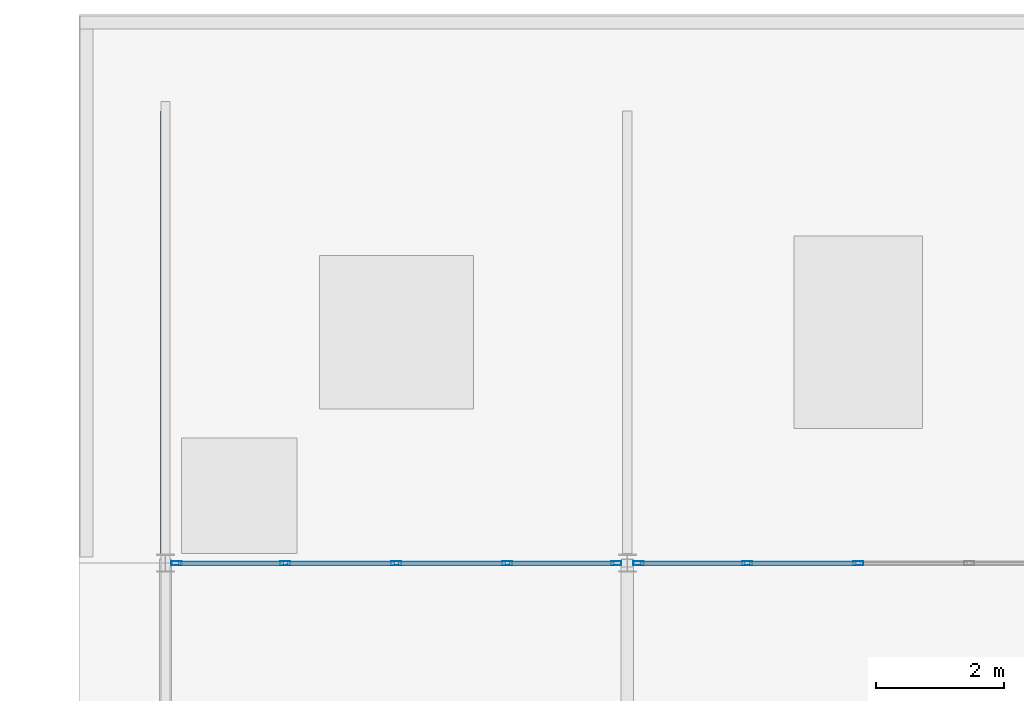
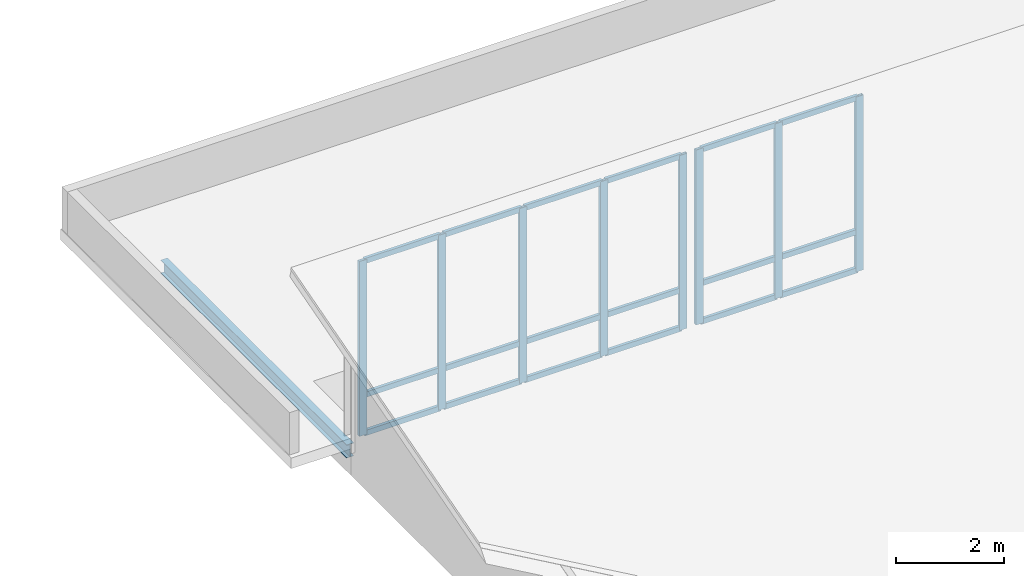
# One storey, part 82 of 157: 26 members, 1 beam, 2 elements without a shape of their own.
"""IFC4 building model written with IfcOpenShell, lengths in metres."""

from ifc_helpers import new_model, si_unit, direction, frame, origin, origin_2d, place, context, subcontext, project, spatial, hollow_rectangle, i_section, extrude, material, material_profile, profile_set, type_object, element, aggregate, save


model = new_model("IFC4")

# Units and contexts
model_context = context("Model", 3, precision=1e-05, world=origin(), true_north=direction((0.0, 1.0)))
body_context = subcontext(model_context, "Body", "Model", "MODEL_VIEW")
ifc_project = project(units=[si_unit("LENGTHUNIT", "METRE"), si_unit("AREAUNIT", "SQUARE_METRE"), si_unit("VOLUMEUNIT", "CUBIC_METRE"), si_unit("PLANEANGLEUNIT", "RADIAN"), si_unit("MASSUNIT", "GRAM", prefix="KILO")], contexts=[model_context])

# Site, building, storey
site_placement = place(None, origin())
site = spatial("IfcSite", under=ifc_project, at=site_placement, CompositionType="ELEMENT")
building_placement = place(site_placement, origin())
building = spatial("IfcBuilding", under=site, at=building_placement, Name="Suanplinth Sawtooth Commons", CompositionType="ELEMENT")
storey_placement = place(building_placement, frame((0.0, 0.0, 9.0)))
storey = spatial("IfcBuildingStorey", under=building, at=storey_placement, Name="L02", CompositionType="ELEMENT", Elevation=9.0)

# Beam
ifc_material_1 = material(Name="Steel S355JR", Category="steel")
ifc_material_profile_1 = material_profile(ifc_material_1, i_section(OverallWidth=0.14990234375, OverallDepth=0.300048828125, WebThickness=0.007080078125, FlangeThickness=0.0107421875, at=origin_2d()), Name="IPE 300")
ifc_profile_set_1 = profile_set([ifc_material_profile_1], Name="Steel S355JR")
beam_type = type_object("IfcBeamType", Name="B-13", PredefinedType="BEAM", material=ifc_profile_set_1)
beam_placement = place(storey_placement, frame((129.60009765625, 64.949951171875, -0.14990234375), z_axis=(0.0, 1.0, 0.0), x_axis=(-1.0, 0.0, 0.0)))
element("IfcBeam", 1, at=beam_placement, inside=storey, type_object=beam_type, Name="BMY-L02-NURS-FLAT-18", PredefinedType="BEAM", context=body_context, shape_type="SweptSolid", body=[
    extrude(i_section(OverallWidth=0.14990234375, OverallDepth=0.300048828125, WebThickness=0.007080078125, FlangeThickness=0.0107421875, at=origin_2d()), origin(), (0.0, 0.0, 1.0), 6.900146484375),
])

# Curtain wall, members
ifc_material_2 = material(Name="Anodized aluminium and low-E glazing", Category="aluminium")
curtain_wall_type = type_object("IfcCurtainWallType", Name="CW-03", PredefinedType="USERDEFINED", material=ifc_material_2)
curtain_wall_1_placement = place(storey_placement, origin())
curtain_wall_1 = element("IfcCurtainWall", 2, at=curtain_wall_1_placement, inside=storey, type_object=curtain_wall_type, Name="Curtain Wall CW-NURS-CLER-18", ObjectType="CURTAIN WALL", PredefinedType="USERDEFINED")
ifc_material_3 = material(Name="Anodized aluminium 6063-T6", Category="aluminium")
ifc_material_profile_2 = material_profile(ifc_material_3, hollow_rectangle(XDim=0.06494140625, YDim=0.159912109375, WallThickness=0.00390625, at=origin_2d()), Name="ALU-MUL 65x160")
ifc_profile_set_2 = profile_set([ifc_material_profile_2], Name="Anodized aluminium 6063-T6")
member_type_1 = type_object("IfcMemberType", Name="M-13", PredefinedType="MULLION", material=ifc_profile_set_2)
member_1_placement = place(storey_placement, frame((129.7724609375, 64.800048828125, 0.239990234375), z_axis=(0.0, 0.0, 1.0), x_axis=(0.0, 1.0, 0.0)))
member_1 = element("IfcMember", 3, at=member_1_placement, type_object=member_type_1, Name="CW-03 mullion 1", PredefinedType="MULLION", context=body_context, shape_type="SweptSolid", body=[
    extrude(hollow_rectangle(XDim=0.06494140625, YDim=0.159912109375, WallThickness=0.00390625, at=origin_2d()), origin(), (0.0, 0.0, 1.0), 3.9599609375),
])
member_2_placement = place(storey_placement, frame((131.469970703125, 64.800048828125, 0.239990234375), z_axis=(0.0, 0.0, 1.0), x_axis=(0.0, 1.0, 0.0)))
member_2 = element("IfcMember", 4, at=member_2_placement, type_object=member_type_1, Name="CW-03 mullion 2", PredefinedType="MULLION", context=body_context, shape_type="SweptSolid", body=[
    extrude(hollow_rectangle(XDim=0.06494140625, YDim=0.159912109375, WallThickness=0.00390625, at=origin_2d()), origin(), (0.0, 0.0, 1.0), 3.9599609375),
])
member_3_placement = place(storey_placement, frame((133.199951171875, 64.800048828125, 0.239990234375), z_axis=(0.0, 0.0, 1.0), x_axis=(0.0, 1.0, 0.0)))
member_3 = element("IfcMember", 5, at=member_3_placement, type_object=member_type_1, Name="CW-03 mullion 3", PredefinedType="MULLION", context=body_context, shape_type="SweptSolid", body=[
    extrude(hollow_rectangle(XDim=0.06494140625, YDim=0.159912109375, WallThickness=0.00390625, at=origin_2d()), origin(), (0.0, 0.0, 1.0), 3.9599609375),
])
member_4_placement = place(storey_placement, frame((134.929931640625, 64.800048828125, 0.239990234375), z_axis=(0.0, 0.0, 1.0), x_axis=(0.0, 1.0, 0.0)))
member_4 = element("IfcMember", 6, at=member_4_placement, type_object=member_type_1, Name="CW-03 mullion 4", PredefinedType="MULLION", context=body_context, shape_type="SweptSolid", body=[
    extrude(hollow_rectangle(XDim=0.06494140625, YDim=0.159912109375, WallThickness=0.00390625, at=origin_2d()), origin(), (0.0, 0.0, 1.0), 3.9599609375),
])
member_5_placement = place(storey_placement, frame((136.62744140625, 64.800048828125, 0.239990234375), z_axis=(0.0, 0.0, 1.0), x_axis=(0.0, 1.0, 0.0)))
member_5 = element("IfcMember", 7, at=member_5_placement, type_object=member_type_1, Name="CW-03 mullion 5", PredefinedType="MULLION", context=body_context, shape_type="SweptSolid", body=[
    extrude(hollow_rectangle(XDim=0.06494140625, YDim=0.159912109375, WallThickness=0.00390625, at=origin_2d()), origin(), (0.0, 0.0, 1.0), 3.9599609375),
])

curtain_wall_2_placement = place(storey_placement, origin())
curtain_wall_2 = element("IfcCurtainWall", 8, at=curtain_wall_2_placement, inside=storey, type_object=curtain_wall_type, Name="Curtain Wall CW-NURS-CLER-19", ObjectType="CURTAIN WALL", PredefinedType="USERDEFINED")
member_6_placement = place(storey_placement, frame((136.972412109375, 64.800048828125, 0.239990234375), z_axis=(0.0, 0.0, 1.0), x_axis=(0.0, 1.0, 0.0)))
member_6 = element("IfcMember", 9, at=member_6_placement, type_object=member_type_1, Name="CW-03 mullion 1", PredefinedType="MULLION", context=body_context, shape_type="SweptSolid", body=[
    extrude(hollow_rectangle(XDim=0.06494140625, YDim=0.159912109375, WallThickness=0.00390625, at=origin_2d()), origin(), (0.0, 0.0, 1.0), 3.9599609375),
])
member_7_placement = place(storey_placement, frame((138.669921875, 64.800048828125, 0.239990234375), z_axis=(0.0, 0.0, 1.0), x_axis=(0.0, 1.0, 0.0)))
member_7 = element("IfcMember", 10, at=member_7_placement, type_object=member_type_1, Name="CW-03 mullion 2", PredefinedType="MULLION", context=body_context, shape_type="SweptSolid", body=[
    extrude(hollow_rectangle(XDim=0.06494140625, YDim=0.159912109375, WallThickness=0.00390625, at=origin_2d()), origin(), (0.0, 0.0, 1.0), 3.9599609375),
])
member_8_placement = place(storey_placement, frame((140.39990234375, 64.800048828125, 0.239990234375), z_axis=(0.0, 0.0, 1.0), x_axis=(0.0, 1.0, 0.0)))
member_8 = element("IfcMember", 11, at=member_8_placement, type_object=member_type_1, Name="CW-03 mullion 3", PredefinedType="MULLION", context=body_context, shape_type="SweptSolid", body=[
    extrude(hollow_rectangle(XDim=0.06494140625, YDim=0.159912109375, WallThickness=0.00390625, at=origin_2d()), origin(), (0.0, 0.0, 1.0), 3.9599609375),
])

# Member
ifc_material_profile_3 = material_profile(ifc_material_3, hollow_rectangle(XDim=0.06494140625, YDim=0.1201171875, WallThickness=0.00390625, at=origin_2d()), Name="ALU-TRN 65x120")
ifc_profile_set_3 = profile_set([ifc_material_profile_3], Name="Anodized aluminium 6063-T6")
member_type_2 = type_object("IfcMemberType", Name="M-15", PredefinedType="USERDEFINED", material=ifc_profile_set_3)
member_9_placement = place(storey_placement, frame((129.804931640625, 64.800048828125, 0.2724609375), z_axis=(1.0, 0.0, 0.0), x_axis=(0.0, 1.0, 0.0)))
member_9 = element("IfcMember", 12, at=member_9_placement, type_object=member_type_2, Name="CW-03 transom 1.1", ObjectType="TRANSOM", PredefinedType="USERDEFINED", context=body_context, shape_type="SweptSolid", body=[
    extrude(hollow_rectangle(XDim=0.06494140625, YDim=0.1201171875, WallThickness=0.00390625, at=origin_2d()), origin(), (0.0, 0.0, 1.0), 1.632568359375),
])

member_10_placement = place(storey_placement, frame((129.804931640625, 64.800048828125, 1.139892578125), z_axis=(1.0, 0.0, 0.0), x_axis=(0.0, 1.0, 0.0)))
member_10 = element("IfcMember", 13, at=member_10_placement, type_object=member_type_2, Name="CW-03 transom 1.2", ObjectType="TRANSOM", PredefinedType="USERDEFINED", context=body_context, shape_type="SweptSolid", body=[
    extrude(hollow_rectangle(XDim=0.06494140625, YDim=0.1201171875, WallThickness=0.00390625, at=origin_2d()), origin(), (0.0, 0.0, 1.0), 1.632568359375),
])

member_11_placement = place(storey_placement, frame((129.804931640625, 64.800048828125, 4.16748046875), z_axis=(1.0, 0.0, 0.0), x_axis=(0.0, 1.0, 0.0)))
member_11 = element("IfcMember", 14, at=member_11_placement, type_object=member_type_2, Name="CW-03 transom 1.3", ObjectType="TRANSOM", PredefinedType="USERDEFINED", context=body_context, shape_type="SweptSolid", body=[
    extrude(hollow_rectangle(XDim=0.06494140625, YDim=0.1201171875, WallThickness=0.00390625, at=origin_2d()), origin(), (0.0, 0.0, 1.0), 1.632568359375),
])

member_12_placement = place(storey_placement, frame((131.50244140625, 64.800048828125, 0.2724609375), z_axis=(1.0, 0.0, 0.0), x_axis=(0.0, 1.0, 0.0)))
member_12 = element("IfcMember", 15, at=member_12_placement, type_object=member_type_2, Name="CW-03 transom 2.1", ObjectType="TRANSOM", PredefinedType="USERDEFINED", context=body_context, shape_type="SweptSolid", body=[
    extrude(hollow_rectangle(XDim=0.06494140625, YDim=0.1201171875, WallThickness=0.00390625, at=origin_2d()), origin(), (0.0, 0.0, 1.0), 1.6650390625),
])

member_13_placement = place(storey_placement, frame((131.50244140625, 64.800048828125, 1.139892578125), z_axis=(1.0, 0.0, 0.0), x_axis=(0.0, 1.0, 0.0)))
member_13 = element("IfcMember", 16, at=member_13_placement, type_object=member_type_2, Name="CW-03 transom 2.2", ObjectType="TRANSOM", PredefinedType="USERDEFINED", context=body_context, shape_type="SweptSolid", body=[
    extrude(hollow_rectangle(XDim=0.06494140625, YDim=0.1201171875, WallThickness=0.00390625, at=origin_2d()), origin(), (0.0, 0.0, 1.0), 1.6650390625),
])

member_14_placement = place(storey_placement, frame((131.50244140625, 64.800048828125, 4.16748046875), z_axis=(1.0, 0.0, 0.0), x_axis=(0.0, 1.0, 0.0)))
member_14 = element("IfcMember", 17, at=member_14_placement, type_object=member_type_2, Name="CW-03 transom 2.3", ObjectType="TRANSOM", PredefinedType="USERDEFINED", context=body_context, shape_type="SweptSolid", body=[
    extrude(hollow_rectangle(XDim=0.06494140625, YDim=0.1201171875, WallThickness=0.00390625, at=origin_2d()), origin(), (0.0, 0.0, 1.0), 1.6650390625),
])

member_15_placement = place(storey_placement, frame((133.232421875, 64.800048828125, 0.2724609375), z_axis=(1.0, 0.0, 0.0), x_axis=(0.0, 1.0, 0.0)))
member_15 = element("IfcMember", 18, at=member_15_placement, type_object=member_type_2, Name="CW-03 transom 3.1", ObjectType="TRANSOM", PredefinedType="USERDEFINED", context=body_context, shape_type="SweptSolid", body=[
    extrude(hollow_rectangle(XDim=0.06494140625, YDim=0.1201171875, WallThickness=0.00390625, at=origin_2d()), origin(), (0.0, 0.0, 1.0), 1.6650390625),
])

member_16_placement = place(storey_placement, frame((133.232421875, 64.800048828125, 1.139892578125), z_axis=(1.0, 0.0, 0.0), x_axis=(0.0, 1.0, 0.0)))
member_16 = element("IfcMember", 19, at=member_16_placement, type_object=member_type_2, Name="CW-03 transom 3.2", ObjectType="TRANSOM", PredefinedType="USERDEFINED", context=body_context, shape_type="SweptSolid", body=[
    extrude(hollow_rectangle(XDim=0.06494140625, YDim=0.1201171875, WallThickness=0.00390625, at=origin_2d()), origin(), (0.0, 0.0, 1.0), 1.6650390625),
])

member_17_placement = place(storey_placement, frame((133.232421875, 64.800048828125, 4.16748046875), z_axis=(1.0, 0.0, 0.0), x_axis=(0.0, 1.0, 0.0)))
member_17 = element("IfcMember", 20, at=member_17_placement, type_object=member_type_2, Name="CW-03 transom 3.3", ObjectType="TRANSOM", PredefinedType="USERDEFINED", context=body_context, shape_type="SweptSolid", body=[
    extrude(hollow_rectangle(XDim=0.06494140625, YDim=0.1201171875, WallThickness=0.00390625, at=origin_2d()), origin(), (0.0, 0.0, 1.0), 1.6650390625),
])

member_18_placement = place(storey_placement, frame((134.96240234375, 64.800048828125, 0.2724609375), z_axis=(1.0, 0.0, 0.0), x_axis=(0.0, 1.0, 0.0)))
member_18 = element("IfcMember", 21, at=member_18_placement, type_object=member_type_2, Name="CW-03 transom 4.1", ObjectType="TRANSOM", PredefinedType="USERDEFINED", context=body_context, shape_type="SweptSolid", body=[
    extrude(hollow_rectangle(XDim=0.06494140625, YDim=0.1201171875, WallThickness=0.00390625, at=origin_2d()), origin(), (0.0, 0.0, 1.0), 1.632568359375),
])

member_19_placement = place(storey_placement, frame((134.96240234375, 64.800048828125, 1.139892578125), z_axis=(1.0, 0.0, 0.0), x_axis=(0.0, 1.0, 0.0)))
member_19 = element("IfcMember", 22, at=member_19_placement, type_object=member_type_2, Name="CW-03 transom 4.2", ObjectType="TRANSOM", PredefinedType="USERDEFINED", context=body_context, shape_type="SweptSolid", body=[
    extrude(hollow_rectangle(XDim=0.06494140625, YDim=0.1201171875, WallThickness=0.00390625, at=origin_2d()), origin(), (0.0, 0.0, 1.0), 1.632568359375),
])

member_20_placement = place(storey_placement, frame((134.96240234375, 64.800048828125, 4.16748046875), z_axis=(1.0, 0.0, 0.0), x_axis=(0.0, 1.0, 0.0)))
member_20 = element("IfcMember", 23, at=member_20_placement, type_object=member_type_2, Name="CW-03 transom 4.3", ObjectType="TRANSOM", PredefinedType="USERDEFINED", context=body_context, shape_type="SweptSolid", body=[
    extrude(hollow_rectangle(XDim=0.06494140625, YDim=0.1201171875, WallThickness=0.00390625, at=origin_2d()), origin(), (0.0, 0.0, 1.0), 1.632568359375),
])

aggregate(curtain_wall_1, [member_1, member_2, member_3, member_4, member_5, member_9, member_10, member_11, member_12, member_13, member_14, member_15, member_16, member_17, member_18, member_19, member_20])

member_21_placement = place(storey_placement, frame((137.0048828125, 64.800048828125, 0.2724609375), z_axis=(1.0, 0.0, 0.0), x_axis=(0.0, 1.0, 0.0)))
member_21 = element("IfcMember", 24, at=member_21_placement, type_object=member_type_2, Name="CW-03 transom 1.1", ObjectType="TRANSOM", PredefinedType="USERDEFINED", context=body_context, shape_type="SweptSolid", body=[
    extrude(hollow_rectangle(XDim=0.06494140625, YDim=0.1201171875, WallThickness=0.00390625, at=origin_2d()), origin(), (0.0, 0.0, 1.0), 1.632568359375),
])

member_22_placement = place(storey_placement, frame((137.0048828125, 64.800048828125, 1.139892578125), z_axis=(1.0, 0.0, 0.0), x_axis=(0.0, 1.0, 0.0)))
member_22 = element("IfcMember", 25, at=member_22_placement, type_object=member_type_2, Name="CW-03 transom 1.2", ObjectType="TRANSOM", PredefinedType="USERDEFINED", context=body_context, shape_type="SweptSolid", body=[
    extrude(hollow_rectangle(XDim=0.06494140625, YDim=0.1201171875, WallThickness=0.00390625, at=origin_2d()), origin(), (0.0, 0.0, 1.0), 1.632568359375),
])

member_23_placement = place(storey_placement, frame((137.0048828125, 64.800048828125, 4.16748046875), z_axis=(1.0, 0.0, 0.0), x_axis=(0.0, 1.0, 0.0)))
member_23 = element("IfcMember", 26, at=member_23_placement, type_object=member_type_2, Name="CW-03 transom 1.3", ObjectType="TRANSOM", PredefinedType="USERDEFINED", context=body_context, shape_type="SweptSolid", body=[
    extrude(hollow_rectangle(XDim=0.06494140625, YDim=0.1201171875, WallThickness=0.00390625, at=origin_2d()), origin(), (0.0, 0.0, 1.0), 1.632568359375),
])

member_24_placement = place(storey_placement, frame((138.702392578125, 64.800048828125, 0.2724609375), z_axis=(1.0, 0.0, 0.0), x_axis=(0.0, 1.0, 0.0)))
member_24 = element("IfcMember", 27, at=member_24_placement, type_object=member_type_2, Name="CW-03 transom 2.1", ObjectType="TRANSOM", PredefinedType="USERDEFINED", context=body_context, shape_type="SweptSolid", body=[
    extrude(hollow_rectangle(XDim=0.06494140625, YDim=0.1201171875, WallThickness=0.00390625, at=origin_2d()), origin(), (0.0, 0.0, 1.0), 1.6650390625),
])

member_25_placement = place(storey_placement, frame((138.702392578125, 64.800048828125, 1.139892578125), z_axis=(1.0, 0.0, 0.0), x_axis=(0.0, 1.0, 0.0)))
member_25 = element("IfcMember", 28, at=member_25_placement, type_object=member_type_2, Name="CW-03 transom 2.2", ObjectType="TRANSOM", PredefinedType="USERDEFINED", context=body_context, shape_type="SweptSolid", body=[
    extrude(hollow_rectangle(XDim=0.06494140625, YDim=0.1201171875, WallThickness=0.00390625, at=origin_2d()), origin(), (0.0, 0.0, 1.0), 1.6650390625),
])

member_26_placement = place(storey_placement, frame((138.702392578125, 64.800048828125, 4.16748046875), z_axis=(1.0, 0.0, 0.0), x_axis=(0.0, 1.0, 0.0)))
member_26 = element("IfcMember", 29, at=member_26_placement, type_object=member_type_2, Name="CW-03 transom 2.3", ObjectType="TRANSOM", PredefinedType="USERDEFINED", context=body_context, shape_type="SweptSolid", body=[
    extrude(hollow_rectangle(XDim=0.06494140625, YDim=0.1201171875, WallThickness=0.00390625, at=origin_2d()), origin(), (0.0, 0.0, 1.0), 1.6650390625),
])

aggregate(curtain_wall_2, [member_6, member_7, member_8, member_21, member_22, member_23, member_24, member_25, member_26])

save(model, "model.ifc")
